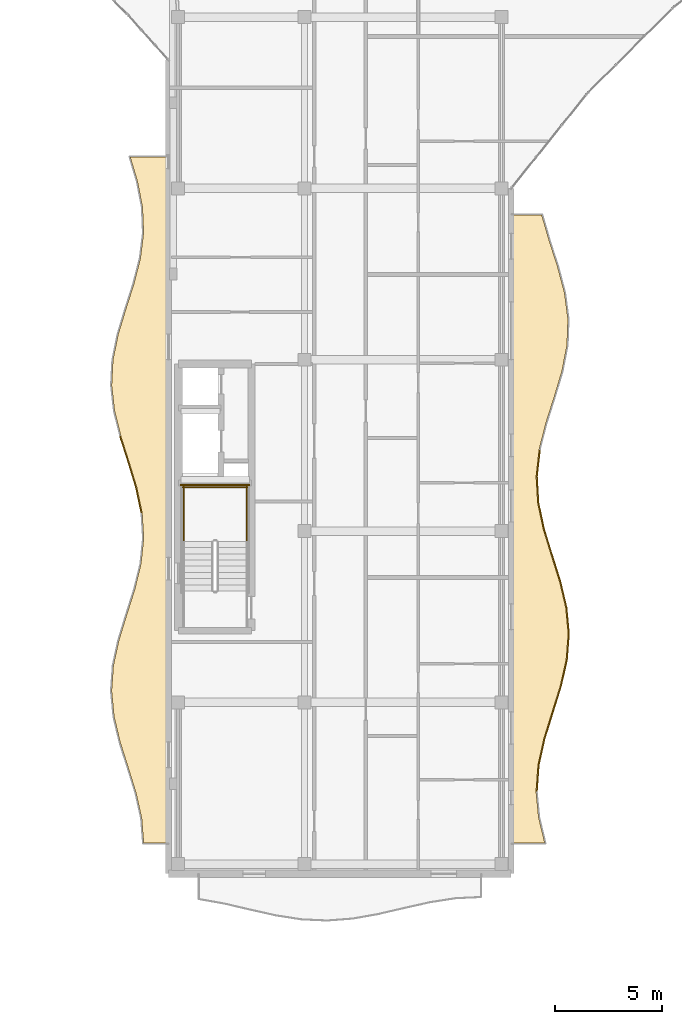
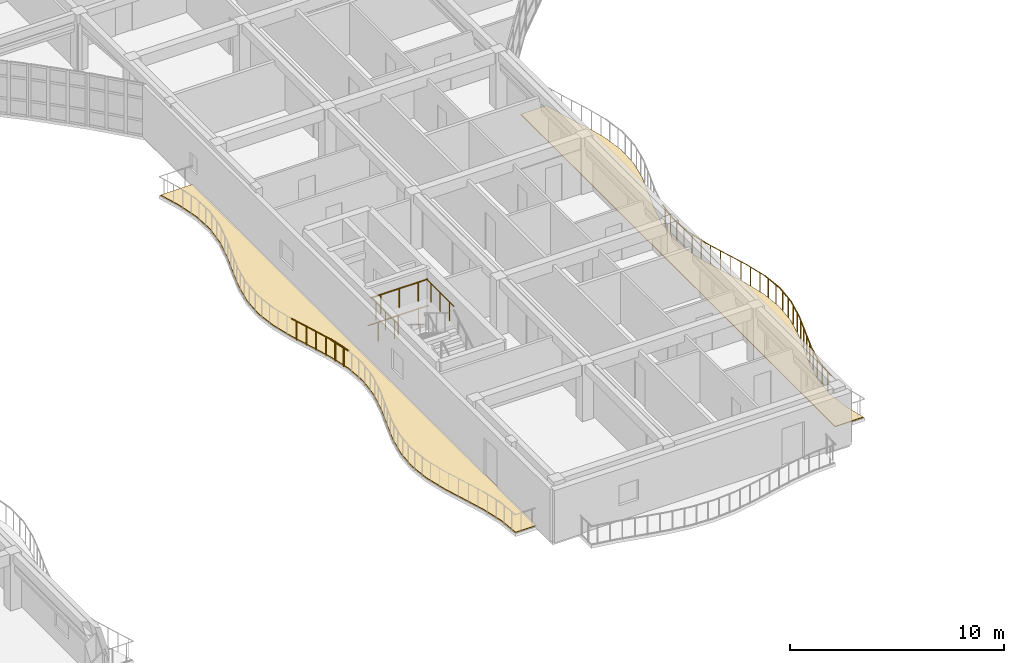
# One storey, part 59 of 79: 20 railings, 2 coverings.
"""IFC4 building model written with IfcOpenShell, lengths in metres."""

from ifc_helpers import new_model, si_unit, direction, frame, origin, origin_2d, place, context, subcontext, project, spatial, polyline, circle, outline, extrude, material, layer, layer_set, type_object, element, save


model = new_model("IFC4")

# Units and contexts
model_context = context("Model", 3, precision=1e-05, world=origin(), true_north=direction((0.0, 1.0)))
body_context = subcontext(model_context, "Body", "Model", "MODEL_VIEW")
ifc_project = project(units=[si_unit("LENGTHUNIT", "METRE"), si_unit("AREAUNIT", "SQUARE_METRE"), si_unit("VOLUMEUNIT", "CUBIC_METRE"), si_unit("PLANEANGLEUNIT", "RADIAN"), si_unit("MASSUNIT", "GRAM", prefix="KILO")], contexts=[model_context])

# Site, building, storey
site_placement = place(None, origin())
site = spatial("IfcSite", under=ifc_project, at=site_placement, CompositionType="ELEMENT")
building_placement = place(site_placement, origin())
building = spatial("IfcBuilding", under=site, at=building_placement, Name="Keldmere Railside Commons", CompositionType="ELEMENT")
storey_placement = place(building_placement, frame((0.0, 0.0, 10.56005859375)))
storey = spatial("IfcBuildingStorey", under=building, at=storey_placement, Name="L03", CompositionType="ELEMENT", Elevation=10.56005859375)

# Railings
ifc_material_1 = material(Name="Steel F-24 (S235)", Category="steel")
railing_type_1 = type_object("IfcRailingType", Name="Balcony & Terrace Steel Balustrade 1100", PredefinedType="BALUSTRADE", material=ifc_material_1)
railing_1_placement = place(storey_placement, frame((65.20068359375, 59.85009765625, 0.0)))
element("IfcRailing", 1, at=railing_1_placement, inside=storey, type_object=railing_type_1, Name="GR-1 GRD-L03-1086", PredefinedType="BALUSTRADE", context=body_context, shape_type="SweptSolid", body=[
    extrude(circle(Radius=0.02392578125, at=origin_2d()), frame((0.0, 0.0, 1.076171875), z_axis=(0.071769795013, 0.997421223217, 0.0), x_axis=(-0.997421223217, 0.071769795013, 0.0)), (0.0, 0.0, 1.0), 1.22802734375),
    extrude(circle(Radius=0.02099609375, at=origin_2d()), frame((0.02197265625, 0.30615234375, 0.0)), (0.0, 0.0, 1.0), 1.048095703125),
    extrude(circle(Radius=0.02099609375, at=origin_2d()), frame((0.066162109375, 0.918701171875, 0.0)), (0.0, 0.0, 1.0), 1.048095703125),
])
railing_2_placement = place(storey_placement, frame((65.288818359375, 61.074951171875, 0.0)))
element("IfcRailing", 2, at=railing_2_placement, inside=storey, type_object=railing_type_1, Name="GR-1 GRD-L03-1087", PredefinedType="BALUSTRADE", context=body_context, shape_type="SweptSolid", body=[
    extrude(circle(Radius=0.02392578125, at=origin_2d()), frame((0.0, 0.0, 1.076171875), z_axis=(0.21690985963, 0.976191637331, 0.0), x_axis=(-0.976191637331, 0.21690985963, 0.0)), (0.0, 0.0, 1.0), 1.2548828125),
    extrude(circle(Radius=0.02099609375, at=origin_2d()), frame((0.068115234375, 0.30615234375, 0.0)), (0.0, 0.0, 1.0), 1.048095703125),
    extrude(circle(Radius=0.02099609375, at=origin_2d()), frame((0.2041015625, 0.9189453125, 0.0)), (0.0, 0.0, 1.0), 1.048095703125),
])
railing_3_placement = place(storey_placement, frame((65.56103515625, 62.300048828125, 0.0)))
element("IfcRailing", 3, at=railing_3_placement, inside=storey, type_object=railing_type_1, Name="GR-1 GRD-L03-1088", PredefinedType="BALUSTRADE", context=body_context, shape_type="SweptSolid", body=[
    extrude(circle(Radius=0.02392578125, at=origin_2d()), frame((0.0, 0.0, 1.076171875), z_axis=(0.296920007036, 0.954902355962, 0.0), x_axis=(-0.954902355962, 0.296920007036, 0.0)), (0.0, 0.0, 1.0), 1.28271484375),
    extrude(circle(Radius=0.02099609375, at=origin_2d()), frame((0.09521484375, 0.30615234375, 0.0)), (0.0, 0.0, 1.0), 1.048095703125),
    extrude(circle(Radius=0.02099609375, at=origin_2d()), frame((0.28564453125, 0.918701171875, 0.0)), (0.0, 0.0, 1.0), 1.048095703125),
])
railing_4_placement = place(storey_placement, frame((65.94189453125, 63.52490234375, 0.0)))
element("IfcRailing", 4, at=railing_4_placement, inside=storey, type_object=railing_type_1, Name="GR-1 GRD-L03-1089", PredefinedType="BALUSTRADE", context=body_context, shape_type="SweptSolid", body=[
    extrude(circle(Radius=0.02392578125, at=origin_2d()), frame((0.0, 0.0, 1.076171875), z_axis=(0.298599857267, 0.954378397304, 0.0), x_axis=(-0.954378397304, 0.298599857267, 0.0)), (0.0, 0.0, 1.0), 1.28369140625),
    extrude(circle(Radius=0.02099609375, at=origin_2d()), frame((0.095703125, 0.30615234375, 0.0)), (0.0, 0.0, 1.0), 1.048095703125),
    extrude(circle(Radius=0.02099609375, at=origin_2d()), frame((0.28759765625, 0.9189453125, 0.0)), (0.0, 0.0, 1.0), 1.048095703125),
])
railing_5_placement = place(storey_placement, frame((66.3251953125, 64.75, 0.0)))
element("IfcRailing", 5, at=railing_5_placement, inside=storey, type_object=railing_type_1, Name="GR-1 GRD-L03-1090", PredefinedType="BALUSTRADE", context=body_context, shape_type="SweptSolid", body=[
    extrude(circle(Radius=0.02392578125, at=origin_2d()), frame((0.0, 0.0, 1.076171875), z_axis=(0.221721890462, 0.975109944206, 0.0), x_axis=(-0.975109944206, 0.221721890462, 0.0)), (0.0, 0.0, 1.0), 1.25634765625),
    extrude(circle(Radius=0.02099609375, at=origin_2d()), frame((0.069580078125, 0.30615234375, 0.0)), (0.0, 0.0, 1.0), 1.048095703125),
    extrude(circle(Radius=0.02099609375, at=origin_2d()), frame((0.208984375, 0.9189453125, 0.0)), (0.0, 0.0, 1.0), 1.048095703125),
])
railing_6_placement = place(storey_placement, frame((66.603759765625, 65.97509765625, 0.0)))
element("IfcRailing", 6, at=railing_6_placement, inside=storey, type_object=railing_type_1, Name="GR-1 GRD-L03-1091", PredefinedType="BALUSTRADE", context=body_context, shape_type="SweptSolid", body=[
    extrude(circle(Radius=0.02392578125, at=origin_2d()), frame((0.0, 0.0, 1.076171875), z_axis=(0.078094431882, 0.996945966294, 0.0), x_axis=(-0.996945966294, 0.078094431882, 0.0)), (0.0, 0.0, 1.0), 1.228515625),
    extrude(circle(Radius=0.02099609375, at=origin_2d()), frame((0.02392578125, 0.30615234375, 0.0)), (0.0, 0.0, 1.0), 1.048095703125),
    extrude(circle(Radius=0.02099609375, at=origin_2d()), frame((0.072021484375, 0.918701171875, 0.0)), (0.0, 0.0, 1.0), 1.048095703125),
])
railing_7_placement = place(storey_placement, frame((66.69970703125, 67.199951171875, 0.0)))
element("IfcRailing", 7, at=railing_7_placement, inside=storey, type_object=railing_type_1, Name="GR-1 GRD-L03-1092", PredefinedType="BALUSTRADE", context=body_context, shape_type="SweptSolid", body=[
    extrude(circle(Radius=0.02392578125, at=origin_2d()), frame((0.0, 0.0, 1.076171875), z_axis=(-0.091680801591, 0.995788446719, 0.0), x_axis=(-0.995788446719, -0.091680801591, 0.0)), (0.0, 0.0, 1.0), 1.230224609375),
    extrude(circle(Radius=0.02099609375, at=origin_2d()), frame((-0.0283203125, 0.30615234375, 0.0)), (0.0, 0.0, 1.0), 1.048095703125),
    extrude(circle(Radius=0.02099609375, at=origin_2d()), frame((-0.08447265625, 0.9189453125, 0.0)), (0.0, 0.0, 1.0), 1.048095703125),
])
railing_8_placement = place(storey_placement, frame((66.5869140625, 68.425048828125, 0.0)))
element("IfcRailing", 8, at=railing_8_placement, inside=storey, type_object=railing_type_1, Name="GR-1 GRD-L03-1093", PredefinedType="BALUSTRADE", context=body_context, shape_type="SweptSolid", body=[
    extrude(circle(Radius=0.02392578125, at=origin_2d()), frame((0.0, 0.0, 1.076171875), z_axis=(-0.230973756596, 0.972959980556, 0.0), x_axis=(-0.972959980556, -0.230973756596, 0.0)), (0.0, 0.0, 1.0), 1.2587890625),
    extrude(circle(Radius=0.02099609375, at=origin_2d()), frame((-0.07275390625, 0.30615234375, 0.0)), (0.0, 0.0, 1.0), 1.048095703125),
    extrude(circle(Radius=0.02099609375, at=origin_2d()), frame((-0.218017578125, 0.918701171875, 0.0)), (0.0, 0.0, 1.0), 1.048095703125),
])
railing_9_placement = place(storey_placement, frame((66.296142578125, 69.64990234375, 0.0)))
element("IfcRailing", 9, at=railing_9_placement, inside=storey, type_object=railing_type_1, Name="GR-1 GRD-L03-1094", PredefinedType="BALUSTRADE", context=body_context, shape_type="SweptSolid", body=[
    extrude(circle(Radius=0.02392578125, at=origin_2d()), frame((0.0, 0.0, 1.076171875), z_axis=(-0.301367803668, 0.953507968982, 0.0), x_axis=(-0.953507968982, -0.301367803668, 0.0)), (0.0, 0.0, 1.0), 1.284912109375),
    extrude(circle(Radius=0.02099609375, at=origin_2d()), frame((-0.0966796875, 0.30615234375, 0.0)), (0.0, 0.0, 1.0), 1.048095703125),
    extrude(circle(Radius=0.02099609375, at=origin_2d()), frame((-0.29052734375, 0.9189453125, 0.0)), (0.0, 0.0, 1.0), 1.048095703125),
])
railing_10_placement = place(storey_placement, frame((65.908935546875, 70.875, 0.0)))
element("IfcRailing", 10, at=railing_10_placement, inside=storey, type_object=railing_type_1, Name="GR-1 GRD-L03-1095", PredefinedType="BALUSTRADE", context=body_context, shape_type="SweptSolid", body=[
    extrude(circle(Radius=0.02392578125, at=origin_2d()), frame((0.0, 0.0, 1.076171875), z_axis=(-0.293215498479, 0.956046375157, 0.0), x_axis=(-0.956046375157, -0.293215498479, 0.0)), (0.0, 0.0, 1.0), 1.281494140625),
    extrude(circle(Radius=0.02099609375, at=origin_2d()), frame((-0.093994140625, 0.30615234375, 0.0)), (0.0, 0.0, 1.0), 1.048095703125),
    extrude(circle(Radius=0.02099609375, at=origin_2d()), frame((-0.28173828125, 0.9189453125, 0.0)), (0.0, 0.0, 1.0), 1.048095703125),
])
railing_11_placement = place(storey_placement, frame((65.533203125, 72.10009765625, 0.0)))
element("IfcRailing", 11, at=railing_11_placement, inside=storey, type_object=railing_type_1, Name="GR-1 GRD-L03-1096", PredefinedType="BALUSTRADE", context=body_context, shape_type="SweptSolid", body=[
    extrude(circle(Radius=0.02392578125, at=origin_2d()), frame((0.0, 0.0, 1.076171875), z_axis=(-0.207278024129, 0.978282076251, 0.0), x_axis=(-0.978282076251, -0.207278024129, 0.0)), (0.0, 0.0, 1.0), 1.251953125),
    extrude(circle(Radius=0.02099609375, at=origin_2d()), frame((-0.06494140625, 0.30615234375, 0.0)), (0.0, 0.0, 1.0), 1.048095703125),
    extrude(circle(Radius=0.02099609375, at=origin_2d()), frame((-0.194580078125, 0.918701171875, 0.0)), (0.0, 0.0, 1.0), 1.048095703125),
])
railing_12_placement = place(storey_placement, frame((65.273681640625, 73.324951171875, 0.0)))
element("IfcRailing", 12, at=railing_12_placement, inside=storey, type_object=railing_type_1, Name="GR-1 GRD-L03-1097", PredefinedType="BALUSTRADE", context=body_context, shape_type="SweptSolid", body=[
    extrude(circle(Radius=0.02392578125, at=origin_2d()), frame((0.0, 0.0, 1.076171875), z_axis=(-0.057695680128, 0.998334216831, 0.0), x_axis=(-0.998334216831, -0.057695680128, 0.0)), (0.0, 0.0, 1.0), 1.22705078125),
    extrude(circle(Radius=0.02099609375, at=origin_2d()), frame((-0.017578125, 0.30615234375, 0.0)), (0.0, 0.0, 1.0), 1.048095703125),
    extrude(circle(Radius=0.02099609375, at=origin_2d()), frame((-0.05322265625, 0.9189453125, 0.0)), (0.0, 0.0, 1.0), 1.048095703125),
])
railing_13_placement = place(storey_placement, frame((65.202880859375, 74.550048828125, 0.0)))
element("IfcRailing", 13, at=railing_13_placement, inside=storey, type_object=railing_type_1, Name="GR-1 GRD-L03-1098", PredefinedType="BALUSTRADE", context=body_context, shape_type="SweptSolid", body=[
    extrude(circle(Radius=0.02392578125, at=origin_2d()), frame((0.0, 0.0, 1.076171875), z_axis=(0.111714088082, 0.993740389903, 0.0), x_axis=(-0.993740389903, 0.111714088082, 0.0)), (0.0, 0.0, 1.0), 1.232666015625),
    extrude(circle(Radius=0.02099609375, at=origin_2d()), frame((0.034423828125, 0.30615234375, 0.0)), (0.0, 0.0, 1.0), 1.048095703125),
    extrude(circle(Radius=0.02099609375, at=origin_2d()), frame((0.103271484375, 0.918701171875, 0.0)), (0.0, 0.0, 1.0), 1.048095703125),
])
railing_14_placement = place(storey_placement, frame((46.725830078125, 72.855712890625, 0.0)))
element("IfcRailing", 14, at=railing_14_placement, inside=storey, type_object=railing_type_1, Name="GR-1 GRD-L03-1123", PredefinedType="BALUSTRADE", context=body_context, shape_type="SweptSolid", body=[
    extrude(circle(Radius=0.02392578125, at=origin_2d()), frame((0.0, 0.0, 1.076171875), z_axis=(-0.20580789302, 0.978592413199, 0.0), x_axis=(-0.978592413199, -0.20580789302, 0.0)), (0.0, 0.0, 1.0), 1.21484375),
    extrude(circle(Radius=0.02099609375, at=origin_2d()), frame((-0.0625, 0.297119140625, 0.0)), (0.0, 0.0, 1.0), 1.048095703125),
    extrude(circle(Radius=0.02099609375, at=origin_2d()), frame((-0.1875, 0.8916015625, 0.0)), (0.0, 0.0, 1.0), 1.048095703125),
])
railing_15_placement = place(storey_placement, frame((46.475830078125, 74.04443359375, 0.0)))
element("IfcRailing", 15, at=railing_15_placement, inside=storey, type_object=railing_type_1, Name="GR-1 GRD-L03-1124", PredefinedType="BALUSTRADE", context=body_context, shape_type="SweptSolid", body=[
    extrude(circle(Radius=0.02392578125, at=origin_2d()), frame((0.0, 0.0, 1.076171875), z_axis=(-0.291310126491, 0.956628668922, 0.0), x_axis=(-0.956628668922, -0.291310126491, 0.0)), (0.0, 0.0, 1.0), 1.242919921875),
    extrude(circle(Radius=0.02099609375, at=origin_2d()), frame((-0.090576171875, 0.29736328125, 0.0)), (0.0, 0.0, 1.0), 1.048095703125),
    extrude(circle(Radius=0.02099609375, at=origin_2d()), frame((-0.271484375, 0.8916015625, 0.0)), (0.0, 0.0, 1.0), 1.048095703125),
])
railing_16_placement = place(storey_placement, frame((46.11376953125, 75.2333984375, 0.0)))
element("IfcRailing", 16, at=railing_16_placement, inside=storey, type_object=railing_type_1, Name="GR-1 GRD-L03-1125", PredefinedType="BALUSTRADE", context=body_context, shape_type="SweptSolid", body=[
    extrude(circle(Radius=0.02392578125, at=origin_2d()), frame((0.0, 0.0, 1.076171875), z_axis=(-0.303696306016, 0.95276888788, 0.0), x_axis=(-0.95276888788, -0.303696306016, 0.0)), (0.0, 0.0, 1.0), 1.24755859375),
    extrude(circle(Radius=0.02099609375, at=origin_2d()), frame((-0.0947265625, 0.297119140625, 0.0)), (0.0, 0.0, 1.0), 1.048095703125),
    extrude(circle(Radius=0.02099609375, at=origin_2d()), frame((-0.2841796875, 0.8916015625, 0.0)), (0.0, 0.0, 1.0), 1.048095703125),
])
railing_type_2 = type_object("IfcRailingType", Name="Stair Well Steel Guardrail 1100", PredefinedType="BALUSTRADE", material=ifc_material_1)
for number, where, name in (
    (17, (51.64990234375, 71.52001953125, 1.599853515625), "L03 ST-C1 stair guard 3"),
    (18, (48.699951171875, 71.52001953125, 1.599853515625), "L03 ST-C1 stair guard 4"),
):
    element("IfcRailing", number, at=place(storey_placement, frame(where)), inside=storey, type_object=railing_type_2, Name=name, PredefinedType="BALUSTRADE", context=body_context, shape_type="SweptSolid", body=[
        extrude(circle(Radius=0.02392578125, at=origin_2d()), frame((0.0, 0.0, 1.076171875), z_axis=(0.0, 1.0, 0.0), x_axis=(-1.0, 0.0, 0.0)), (0.0, 0.0, 1.0), 2.580078125),
        extrude(circle(Radius=0.02099609375, at=origin_2d()), frame((0.0, 0.429931640625, 0.0)), (0.0, 0.0, 1.0), 1.048095703125),
        extrude(circle(Radius=0.02099609375, at=origin_2d()), frame((0.0, 1.2900390625, 0.0)), (0.0, 0.0, 1.0), 1.048095703125),
        extrude(circle(Radius=0.02099609375, at=origin_2d()), frame((0.0, 2.150146484375, 0.0)), (0.0, 0.0, 1.0), 1.048095703125),
    ])
railing_17_placement = place(storey_placement, frame((51.699951171875, 74.050048828125, 1.599853515625)))
element("IfcRailing", 19, at=railing_17_placement, inside=storey, type_object=railing_type_2, Name="L03 ST-C1 stair guard 5", PredefinedType="BALUSTRADE", context=body_context, shape_type="SweptSolid", body=[
    extrude(circle(Radius=0.02392578125, at=origin_2d()), frame((0.0, 0.0, 1.076171875), z_axis=(-1.0, 0.0, 0.0), x_axis=(0.0, -1.0, 0.0)), (0.0, 0.0, 1.0), 3.050048828125),
    extrude(circle(Radius=0.02099609375, at=origin_2d()), frame((-0.50830078125, 0.0, 0.0)), (0.0, 0.0, 1.0), 1.048095703125),
    extrude(circle(Radius=0.02099609375, at=origin_2d()), frame((-1.52490234375, 0.0, 0.0)), (0.0, 0.0, 1.0), 1.048095703125),
    extrude(circle(Radius=0.02099609375, at=origin_2d()), frame((-2.541748046875, 0.0, 0.0)), (0.0, 0.0, 1.0), 1.048095703125),
])
railing_18_placement = place(storey_placement, frame((51.800048828125, 74.14990234375, 0.0)))
element("IfcRailing", 20, at=railing_18_placement, inside=storey, type_object=railing_type_2, Name="L03 ST-C1 stair guard 12", PredefinedType="BALUSTRADE", context=body_context, shape_type="SweptSolid", body=[
    extrude(circle(Radius=0.02392578125, at=origin_2d()), frame((0.0, 0.0, 1.076171875), z_axis=(-1.0, 0.0, 0.0), x_axis=(0.0, -1.0, 0.0)), (0.0, 0.0, 1.0), 3.25),
    extrude(circle(Radius=0.02099609375, at=origin_2d()), frame((-0.541748046875, 0.0, 0.0)), (0.0, 0.0, 1.0), 1.048095703125),
    extrude(circle(Radius=0.02099609375, at=origin_2d()), frame((-1.625, 0.0, 0.0)), (0.0, 0.0, 1.0), 1.048095703125),
    extrude(circle(Radius=0.02099609375, at=origin_2d()), frame((-2.708251953125, 0.0, 0.0)), (0.0, 0.0, 1.0), 1.048095703125),
])

# Coverings
ifc_material_2 = material(Name="White Precast Concrete C35/45", Category="concrete")
ifc_layer = layer(ifc_material_2, 0.044921875, Name="White Architectural Balcony Ribbon Cladding 45")
ifc_layer_set = layer_set([ifc_layer], Name="White Precast Concrete C35/45")
covering_type = type_object("IfcCoveringType", Name="White Architectural Balcony Ribbon Cladding 45", PredefinedType="FLOORING", material=ifc_layer_set)
covering_1_placement = place(storey_placement, origin())
element("IfcCovering", 21, at=covering_1_placement, inside=storey, type_object=covering_type, Name="CLG-WB C L03 CE White Balcony Ribbon", PredefinedType="FLOORING", context=body_context, shape_type="SweptSolid", body=[
    extrude(outline(polyline([(65.282958984375, 58.615478515625), (65.281982421875, 58.62109375), (65.160888671875, 59.84619140625), (65.16064453125, 59.849609375), (65.160888671875, 59.852783203125), (65.248779296875, 61.077880859375), (65.249755859375, 61.083740234375), (65.522216796875, 62.30859375), (65.52294921875, 62.31201171875), (65.90380859375, 63.536865234375), (65.90380859375, 63.536865234375), (66.28662109375, 64.760498046875), (66.564208984375, 65.98095703125), (66.65966796875, 67.19970703125), (66.547119140625, 68.41845703125), (66.257568359375, 69.639404296875), (65.870849609375, 70.86279296875), (65.87060546875, 70.86328125), (65.4951171875, 72.08837890625), (65.494140625, 72.091796875), (65.234619140625, 73.316650390625), (65.234130859375, 73.319580078125), (65.23388671875, 73.32275390625), (65.1630859375, 74.547607421875), (65.162841796875, 74.551025390625), (65.1630859375, 74.554443359375), (65.30078125, 75.779541015625), (65.3017578125, 75.78466796875), (65.609375, 77.009765625), (65.610107421875, 77.01220703125), (66.001708984375, 78.23681640625), (66.367919921875, 79.459716796875), (66.606201171875, 80.6796875), (66.651123046875, 81.898193359375), (66.490234375, 83.1171875), (66.16796875, 84.3388671875), (65.7734375, 85.562744140625), (65.773193359375, 85.563720703125), (65.42529296875, 86.760009765625), (64.0400390625, 86.760009765625), (64.0400390625, 57.43994140625), (65.5673828125, 57.43994140625), (65.282958984375, 58.615478515625)])), origin(), (0.0, 0.0, 1.0), 0.044921875),
])
covering_2_placement = place(storey_placement, origin())
element("IfcCovering", 22, at=covering_2_placement, inside=storey, type_object=covering_type, Name="CLG-WB C L03 CW White Balcony Ribbon", PredefinedType="FLOORING", context=body_context, shape_type="SweptSolid", body=[
    extrude(outline(polyline([(47.9599609375, 89.4599609375), (46.210693359375, 89.4599609375), (46.54931640625, 88.322509765625), (46.55029296875, 88.31884765625), (46.782958984375, 87.1298828125), (46.783447265625, 87.126953125), (46.78369140625, 87.123779296875), (46.833740234375, 85.93505859375), (46.833740234375, 85.931640625), (46.83349609375, 85.928466796875), (46.68798828125, 84.739501953125), (46.68701171875, 84.734619140625), (46.384033203125, 83.545654296875), (46.38330078125, 83.54345703125), (46.002685546875, 82.354736328125), (45.645263671875, 81.16796875), (45.40478515625, 79.98388671875), (45.34375, 78.80126953125), (45.478271484375, 77.6181640625), (45.7734375, 76.43310546875), (46.15185546875, 75.245361328125), (46.152099609375, 75.2451171875), (46.51416015625, 74.05615234375), (46.514892578125, 74.052490234375), (46.764892578125, 72.86376953125), (46.765869140625, 72.85791015625), (46.837890625, 71.669189453125), (46.838134765625, 71.665771484375), (46.837890625, 71.66259765625), (46.71337890625, 70.4736328125), (46.71240234375, 70.468505859375), (46.423583984375, 69.279541015625), (46.4228515625, 69.27685546875), (46.046142578125, 68.088134765625), (45.680908203125, 66.90087890625), (45.423583984375, 65.716552734375), (45.3408203125, 64.53369140625), (45.454345703125, 63.350830078125), (45.734375, 62.166259765625), (46.1083984375, 60.978759765625), (46.1083984375, 60.978515625), (46.477294921875, 59.789794921875), (46.478271484375, 59.78662109375), (46.744873046875, 58.59765625), (46.745849609375, 58.592041015625), (46.8369140625, 57.43994140625), (47.9599609375, 57.43994140625), (47.9599609375, 89.4599609375)])), origin(), (0.0, 0.0, 1.0), 0.044921875),
])

save(model, "model.ifc")
